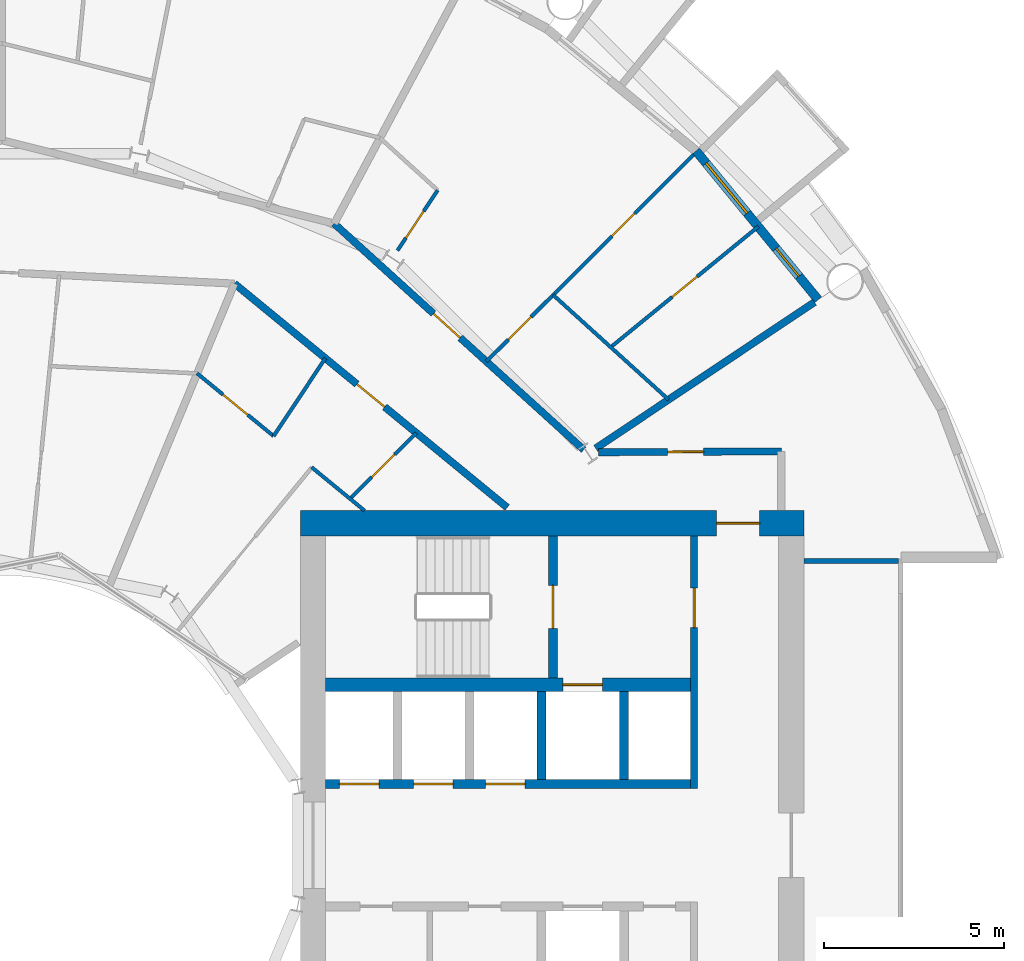
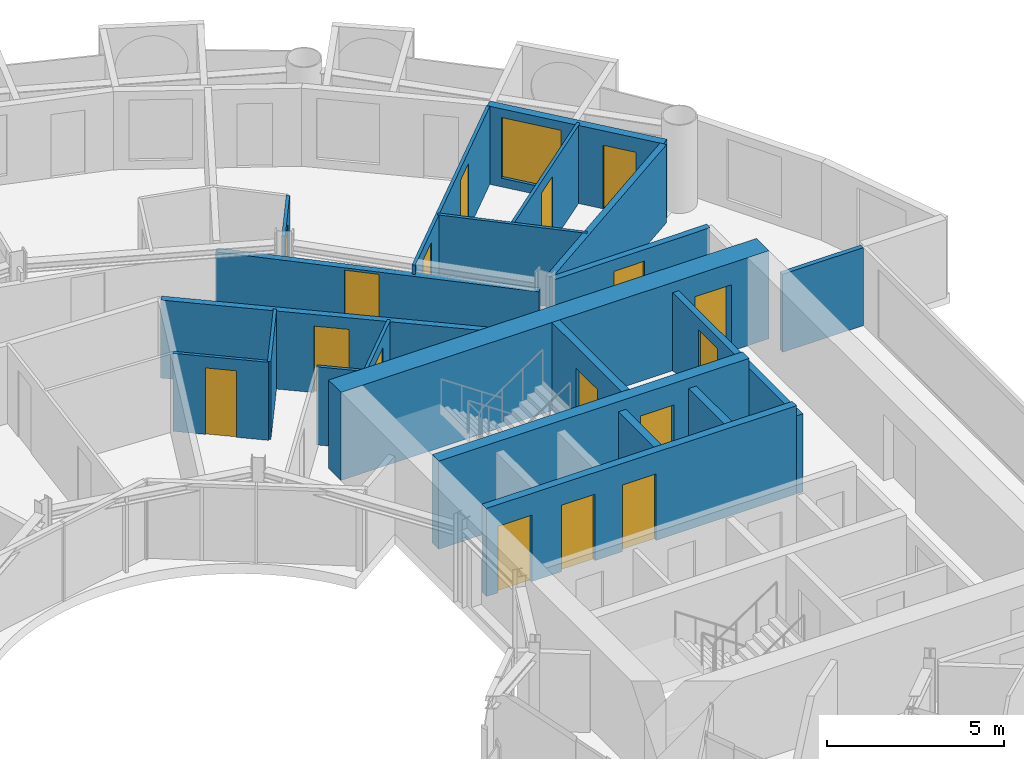
# One storey, part 21 of 26: 21 walls, 17 doors, 1 window, 18 openings.
"""IFC4 building model written with IfcOpenShell, lengths in metres."""

from ifc_helpers import new_model, si_unit, direction, frame, frame_2d, origin, place, context, subcontext, project, spatial, rectangle, extrude, material, layer, layer_set, type_object, element, fill, save


model = new_model("IFC4")

# Units and contexts
model_context = context("Model", 3, precision=1e-05, world=origin(), true_north=direction((0.0, 1.0)))
body_context = subcontext(model_context, "Body", "Model", "MODEL_VIEW")
ifc_project = project(units=[si_unit("LENGTHUNIT", "METRE"), si_unit("AREAUNIT", "SQUARE_METRE"), si_unit("VOLUMEUNIT", "CUBIC_METRE"), si_unit("PLANEANGLEUNIT", "RADIAN"), si_unit("MASSUNIT", "GRAM", prefix="KILO")], contexts=[model_context])

# Site, building, storey
site_placement = place(None, origin())
site = spatial("IfcSite", under=ifc_project, at=site_placement, CompositionType="ELEMENT")
building_placement = place(site_placement, origin())
building = spatial("IfcBuilding", under=site, at=building_placement, Name="Maasbend Ring Residences", CompositionType="ELEMENT")
storey_placement = place(building_placement, frame((0.0, 0.0, 84.949951171875)))
storey = spatial("IfcBuildingStorey", under=building, at=storey_placement, Name="L24", CompositionType="ELEMENT", Elevation=84.949951171875)

# Wall, openings, doors
ifc_material_1 = material(Name="Concrete C70/85", Category="concrete")
ifc_layer_1 = layer(ifc_material_1, 0.25)
ifc_layer_set_1 = layer_set([ifc_layer_1], Name="Concrete C70/85")
wall_type_1 = type_object("IfcWallType", Name="CORE WALL 250 C70/85", PredefinedType="SHEAR", material=ifc_layer_set_1)
wall_1_placement = place(storey_placement, frame((9.0, 1.699951171875, 0.0), z_axis=(0.0, 0.0, 1.0), x_axis=(1.0, 0.0, 0.0)))
wall_1 = element("IfcWall", 1, at=wall_1_placement, inside=storey, type_object=wall_type_1, Name="L24 core E wall SPN", PredefinedType="SHEAR", context=body_context, shape_type="SweptSolid", body=[
    extrude(rectangle(XDim=10.14990234375, YDim=0.25, at=frame_2d((5.074951171875, 0.0))), origin(), (0.0, 0.0, 1.0), 3.050048828125),
])
opening_1_placement = place(wall_1_placement, frame((0.387451171875, 0.0, 0.0)))
opening_1 = element("IfcOpeningElement", 2, at=opening_1_placement, cuts=wall_1, Name="Opening LD-E2401", PredefinedType="OPENING", context=body_context, shape_type="SweptSolid", body=[
    extrude(rectangle(XDim=1.10009765625, YDim=2.300048828125, at=frame_2d((0.550048828125, 1.14990234375))), frame((0.0, 0.135009765625, 0.0), z_axis=(0.0, -1.0, 0.0), x_axis=(1.0, 0.0, 0.0)), (0.0, 0.0, 1.0), 0.27001953125),
])
opening_2_placement = place(wall_1_placement, frame((2.449951171875, 0.0, 0.0)))
opening_2 = element("IfcOpeningElement", 3, at=opening_2_placement, cuts=wall_1, Name="Opening LD-E2402", PredefinedType="OPENING", context=body_context, shape_type="SweptSolid", body=[
    extrude(rectangle(XDim=1.10009765625, YDim=2.300048828125, at=frame_2d((0.550048828125, 1.14990234375))), frame((0.0, 0.135009765625, 0.0), z_axis=(0.0, -1.0, 0.0), x_axis=(1.0, 0.0, 0.0)), (0.0, 0.0, 1.0), 0.27001953125),
])
opening_3_placement = place(wall_1_placement, frame((4.449951171875, 0.0, 0.0)))
opening_3 = element("IfcOpeningElement", 4, at=opening_3_placement, cuts=wall_1, Name="Opening LD-E2403", PredefinedType="OPENING", context=body_context, shape_type="SweptSolid", body=[
    extrude(rectangle(XDim=1.10009765625, YDim=2.300048828125, at=frame_2d((0.550048828125, 1.14990234375))), frame((0.0, 0.135009765625, 0.0), z_axis=(0.0, -1.0, 0.0), x_axis=(1.0, 0.0, 0.0)), (0.0, 0.0, 1.0), 0.27001953125),
])
ifc_material_2 = material(Name="Stainless steel 316", Category="steel")
door_type_1 = type_object("IfcDoorType", Name="LANDING DOOR 1100 X 2300 FD60", OperationType="DOUBLE_DOOR_SLIDING", PredefinedType="DOOR", material=ifc_material_2)
door_1_placement = place(opening_1_placement, origin())
door_1 = element("IfcDoor", 5, at=door_1_placement, inside=storey, type_object=door_type_1, Name="Landing door LR-E1 L24", OperationType="DOUBLE_DOOR_SLIDING", OverallHeight=2.300048828125, OverallWidth=1.10009765625, PredefinedType="DOOR", context=body_context, shape_type="SweptSolid", body=[
    extrude(rectangle(XDim=1.10009765625, YDim=2.300048828125, at=frame_2d((0.550048828125, 1.14990234375))), frame((0.0, 0.02490234375, 0.0), z_axis=(0.0, -1.0, 0.0), x_axis=(1.0, 0.0, 0.0)), (0.0, 0.0, 1.0), 0.050048828125),
])
fill(opening_1, door_1)
door_2_placement = place(opening_2_placement, origin())
door_2 = element("IfcDoor", 6, at=door_2_placement, inside=storey, type_object=door_type_1, Name="Landing door LR-E2 L24", OperationType="DOUBLE_DOOR_SLIDING", OverallHeight=2.300048828125, OverallWidth=1.10009765625, PredefinedType="DOOR", context=body_context, shape_type="SweptSolid", body=[
    extrude(rectangle(XDim=1.10009765625, YDim=2.300048828125, at=frame_2d((0.550048828125, 1.14990234375))), frame((0.0, 0.02490234375, 0.0), z_axis=(0.0, -1.0, 0.0), x_axis=(1.0, 0.0, 0.0)), (0.0, 0.0, 1.0), 0.050048828125),
])
fill(opening_2, door_2)
door_3_placement = place(opening_3_placement, origin())
door_3 = element("IfcDoor", 7, at=door_3_placement, inside=storey, type_object=door_type_1, Name="Landing door LR-E3 L24", OperationType="DOUBLE_DOOR_SLIDING", OverallHeight=2.300048828125, OverallWidth=1.10009765625, PredefinedType="DOOR", context=body_context, shape_type="SweptSolid", body=[
    extrude(rectangle(XDim=1.10009765625, YDim=2.300048828125, at=frame_2d((0.550048828125, 1.14990234375))), frame((0.0, 0.02490234375, 0.0), z_axis=(0.0, -1.0, 0.0), x_axis=(1.0, 0.0, 0.0)), (0.0, 0.0, 1.0), 0.050048828125),
])
fill(opening_3, door_3)

# Wall, opening, door
wall_2_placement = place(storey_placement, frame((15.324951171875, 4.64990234375, 0.0), z_axis=(0.0, 0.0, 1.0), x_axis=(0.0, 1.0, 0.0)))
wall_2 = element("IfcWall", 8, at=wall_2_placement, inside=storey, type_object=wall_type_1, Name="L24 core E wall STEN", PredefinedType="SHEAR", context=body_context, shape_type="SweptSolid", body=[
    extrude(rectangle(XDim=3.9501953125, YDim=0.25, at=frame_2d((1.97509765625, 0.0))), origin(), (0.0, 0.0, 1.0), 3.050048828125),
])
opening_4_placement = place(wall_2_placement, frame((1.375, 0.0, 0.0)))
opening_4 = element("IfcOpeningElement", 9, at=opening_4_placement, cuts=wall_2, Name="Opening D-E2410", PredefinedType="OPENING", context=body_context, shape_type="SweptSolid", body=[
    extrude(rectangle(XDim=1.199951171875, YDim=2.300048828125, at=frame_2d((0.60009765625, 1.14990234375))), frame((0.0, 0.135009765625, 0.0), z_axis=(0.0, -1.0, 0.0), x_axis=(1.0, 0.0, 0.0)), (0.0, 0.0, 1.0), 0.27001953125),
])
ifc_material_3 = material(Name="Steel, powder coated", Category="steel")
door_type_2 = type_object("IfcDoorType", Name="STAIR DOOR 1200 X 2300 FD60", OperationType="NOTDEFINED", PredefinedType="DOOR", material=ifc_material_3)
door_4_placement = place(opening_4_placement, origin())
door_4 = element("IfcDoor", 10, at=door_4_placement, inside=storey, type_object=door_type_2, Name="Stair door ST-E L24", OperationType="SINGLE_SWING_LEFT", OverallHeight=2.300048828125, OverallWidth=1.199951171875, PredefinedType="DOOR", context=body_context, shape_type="SweptSolid", body=[
    extrude(rectangle(XDim=1.199951171875, YDim=2.300048828125, at=frame_2d((0.60009765625, 1.14990234375))), frame((0.0, 0.02490234375, 0.0), z_axis=(0.0, -1.0, 0.0), x_axis=(1.0, 0.0, 0.0)), (0.0, 0.0, 1.0), 0.050048828125),
])
fill(opening_4, door_4)

ifc_material_4 = material(Name="Concrete C70/85", Category="concrete")
ifc_layer_2 = layer(ifc_material_4, 0.375)
ifc_layer_set_2 = layer_set([ifc_layer_2], Name="Concrete C70/85")
wall_type_2 = type_object("IfcWallType", Name="CORE WALL 375 C70/85", PredefinedType="SHEAR", material=ifc_layer_set_2)
wall_3_placement = place(storey_placement, frame((9.0, 4.46240234375, 0.0), z_axis=(0.0, 0.0, 1.0), x_axis=(1.0, 0.0, 0.0)))
wall_3 = element("IfcWall", 11, at=wall_3_placement, inside=storey, type_object=wall_type_2, Name="L24 core E wall BN", PredefinedType="SHEAR", context=body_context, shape_type="SweptSolid", body=[
    extrude(rectangle(XDim=10.14990234375, YDim=0.375, at=frame_2d((5.074951171875, 0.0))), origin(), (0.0, 0.0, 1.0), 3.050048828125),
])
opening_5_placement = place(wall_3_placement, frame((6.60009765625, 0.0, 0.0)))
opening_5 = element("IfcOpeningElement", 12, at=opening_5_placement, cuts=wall_3, Name="Opening LD-E2404", PredefinedType="OPENING", context=body_context, shape_type="SweptSolid", body=[
    extrude(rectangle(XDim=1.10009765625, YDim=2.300048828125, at=frame_2d((0.550048828125, 1.14990234375))), frame((0.0, 0.197509765625, 0.0), z_axis=(0.0, -1.0, 0.0), x_axis=(1.0, 0.0, 0.0)), (0.0, 0.0, 1.0), 0.39501953125),
])
door_5_placement = place(opening_5_placement, origin())
door_5 = element("IfcDoor", 13, at=door_5_placement, inside=storey, type_object=door_type_1, Name="Landing door FF-E L24", OperationType="DOUBLE_DOOR_SLIDING", OverallHeight=2.300048828125, OverallWidth=1.10009765625, PredefinedType="DOOR", context=body_context, shape_type="SweptSolid", body=[
    extrude(rectangle(XDim=1.10009765625, YDim=2.300048828125, at=frame_2d((0.550048828125, 1.14990234375))), frame((0.0, 0.02490234375, 0.0), z_axis=(0.0, -1.0, 0.0), x_axis=(1.0, 0.0, 0.0)), (0.0, 0.0, 1.0), 0.050048828125),
])
fill(opening_5, door_5)

ifc_material_5 = material(Name="Concrete C70/85", Category="concrete")
ifc_layer_3 = layer(ifc_material_5, 0.699951171875)
ifc_layer_set_3 = layer_set([ifc_layer_3], Name="Concrete C70/85")
wall_type_3 = type_object("IfcWallType", Name="CORE WALL 700 C70/85", PredefinedType="SHEAR", material=ifc_layer_set_3)
wall_4_placement = place(storey_placement, frame((22.300048828125, 8.949951171875, 0.0), z_axis=(0.0, 0.0, 1.0), x_axis=(-1.0, 0.0, 0.0)))
wall_4 = element("IfcWall", 14, at=wall_4_placement, inside=storey, type_object=wall_type_3, Name="L24 core E wall PN", PredefinedType="SHEAR", context=body_context, shape_type="SweptSolid", body=[
    extrude(rectangle(XDim=14.0, YDim=0.699951171875, at=frame_2d((7.0, 0.0))), origin(), (0.0, 0.0, 1.0), 3.050048828125),
])
opening_6_placement = place(wall_4_placement, frame((1.22509765625, 0.0, 0.0)))
opening_6 = element("IfcOpeningElement", 15, at=opening_6_placement, cuts=wall_4, Name="Opening D-E2414", PredefinedType="OPENING", context=body_context, shape_type="SweptSolid", body=[
    extrude(rectangle(XDim=1.199951171875, YDim=2.300048828125, at=frame_2d((0.60009765625, 1.14990234375))), frame((0.0, 0.35986328125, 0.0), z_axis=(0.0, -1.0, 0.0), x_axis=(1.0, 0.0, 0.0)), (0.0, 0.0, 1.0), 0.719970703125),
])
ifc_material_6 = material(Name="Steel, powder coated", Category="steel")
door_type_3 = type_object("IfcDoorType", Name="CORRIDOR DOOR 1200 X 2300 FD30S", OperationType="NOTDEFINED", PredefinedType="DOOR", material=ifc_material_6)
door_6_placement = place(opening_6_placement, origin())
door_6 = element("IfcDoor", 16, at=door_6_placement, inside=storey, type_object=door_type_3, Name="Corridor door L24", OperationType="SINGLE_SWING_RIGHT", OverallHeight=2.300048828125, OverallWidth=1.199951171875, PredefinedType="DOOR", context=body_context, shape_type="SweptSolid", body=[
    extrude(rectangle(XDim=1.199951171875, YDim=2.300048828125, at=frame_2d((0.60009765625, 1.14990234375))), frame((0.0, 0.02490234375, 0.0), z_axis=(0.0, -1.0, 0.0), x_axis=(1.0, 0.0, 0.0)), (0.0, 0.0, 1.0), 0.050048828125),
])
fill(opening_6, door_6)

ifc_material_7 = material(Name="Concrete C30/37", Category="concrete")
ifc_layer_4 = layer(ifc_material_7, 0.199951171875)
ifc_layer_set_4 = layer_set([ifc_layer_4], Name="Concrete C30/37")
wall_type_4 = type_object("IfcWallType", Name="CORRIDOR WALL 200 CONCRETE", PredefinedType="PARTITIONING", material=ifc_layer_set_4)
wall_5_placement = place(storey_placement, frame((16.587890625, 10.925048828125, 0.0), z_axis=(0.0, 0.0, 1.0), x_axis=(0.999988019025, 0.004895079807, 0.0)))
wall_5 = element("IfcWall", 17, at=wall_5_placement, inside=storey, type_object=wall_type_4, Name="U-L24-w085", PredefinedType="PARTITIONING", context=body_context, shape_type="SweptSolid", body=[
    extrude(rectangle(XDim=5.087158203125, YDim=0.199951171875, at=frame_2d((2.54345703125, 0.0))), origin(), (0.0, 0.0, 1.0), 2.699951171875),
])
opening_7_placement = place(wall_5_placement, frame((1.925048828125, 0.0, 0.0)))
opening_7 = element("IfcOpeningElement", 18, at=opening_7_placement, cuts=wall_5, Name="Opening D-2468", PredefinedType="OPENING", context=body_context, shape_type="SweptSolid", body=[
    extrude(rectangle(XDim=1.0, YDim=2.300048828125, at=frame_2d((0.5, 1.14990234375))), frame((0.0, 0.10986328125, 0.0), z_axis=(0.0, -1.0, 0.0), x_axis=(1.0, 0.0, 0.0)), (0.0, 0.0, 1.0), 0.219970703125),
])
ifc_material_8 = material(Name="Timber, painted", Category="wood")
door_type_4 = type_object("IfcDoorType", Name="ROOM DOOR 1000 X 2300", OperationType="NOTDEFINED", PredefinedType="DOOR", material=ifc_material_8)
door_7_placement = place(opening_7_placement, origin())
door_7 = element("IfcDoor", 19, at=door_7_placement, inside=storey, type_object=door_type_4, Name="D-2468", OperationType="SINGLE_SWING_LEFT", OverallHeight=2.300048828125, OverallWidth=1.0, PredefinedType="DOOR", context=body_context, shape_type="SweptSolid", body=[
    extrude(rectangle(XDim=1.0, YDim=2.300048828125, at=frame_2d((0.5, 1.14990234375))), frame((0.0, 0.02490234375, 0.0), z_axis=(0.0, -1.0, 0.0), x_axis=(1.0, 0.0, 0.0)), (0.0, 0.0, 1.0), 0.050048828125),
])
fill(opening_7, door_7)

wall_6_placement = place(storey_placement, frame((6.469970703125, 15.613037109375, 0.0), z_axis=(0.0, 0.0, 1.0), x_axis=(0.77292501819, -0.634497372931, 0.0)))
wall_6 = element("IfcWall", 20, at=wall_6_placement, inside=storey, type_object=wall_type_4, Name="U-L24-w094", PredefinedType="PARTITIONING", context=body_context, shape_type="SweptSolid", body=[
    extrude(rectangle(XDim=9.8095703125, YDim=0.199951171875, at=frame_2d((4.90478515625, 0.0))), origin(), (0.0, 0.0, 1.0), 2.699951171875),
])
opening_8_placement = place(wall_6_placement, frame((4.404052734375, 0.0, 0.0)))
opening_8 = element("IfcOpeningElement", 21, at=opening_8_placement, cuts=wall_6, Name="Opening D-2421", PredefinedType="OPENING", context=body_context, shape_type="SweptSolid", body=[
    extrude(rectangle(XDim=1.0, YDim=2.300048828125, at=frame_2d((0.5, 1.14990234375))), frame((0.0, 0.10986328125, 0.0), z_axis=(0.0, -1.0, 0.0), x_axis=(1.0, 0.0, 0.0)), (0.0, 0.0, 1.0), 0.219970703125),
])
ifc_material_9 = material(Name="Timber, fire-rated, painted", Category="wood")
door_type_5 = type_object("IfcDoorType", Name="FLAT ENTRANCE DOOR 1000 X 2300 FIRE-RATED", OperationType="NOTDEFINED", PredefinedType="DOOR", material=ifc_material_9)
door_8_placement = place(opening_8_placement, origin())
door_8 = element("IfcDoor", 22, at=door_8_placement, inside=storey, type_object=door_type_5, Name="D-2421", OperationType="SINGLE_SWING_LEFT", OverallHeight=2.300048828125, OverallWidth=1.0, PredefinedType="DOOR", context=body_context, shape_type="SweptSolid", body=[
    extrude(rectangle(XDim=1.0, YDim=2.300048828125, at=frame_2d((0.5, 1.14990234375))), frame((0.0, 0.02490234375, 0.0), z_axis=(0.0, -1.0, 0.0), x_axis=(1.0, 0.0, 0.0)), (0.0, 0.0, 1.0), 0.050048828125),
])
fill(opening_8, door_8)

wall_7_placement = place(storey_placement, frame((9.239013671875, 17.285888671875, 0.0), z_axis=(0.0, 0.0, 1.0), x_axis=(0.740909940942, -0.671604392044, 0.0)))
wall_7 = element("IfcWall", 23, at=wall_7_placement, inside=storey, type_object=wall_type_4, Name="U-L24-w098", PredefinedType="PARTITIONING", context=body_context, shape_type="SweptSolid", body=[
    extrude(rectangle(XDim=9.36669921875, YDim=0.199951171875, at=frame_2d((4.683349609375, 0.0))), origin(), (0.0, 0.0, 1.0), 2.380126953125),
])
opening_9_placement = place(wall_7_placement, frame((3.73095703125, 0.0, 0.0)))
opening_9 = element("IfcOpeningElement", 24, at=opening_9_placement, cuts=wall_7, Name="Opening D-2401", PredefinedType="OPENING", context=body_context, shape_type="SweptSolid", body=[
    extrude(rectangle(XDim=1.0, YDim=2.300048828125, at=frame_2d((0.5, 1.14990234375))), frame((0.0, 0.10986328125, 0.0), z_axis=(0.0, -1.0, 0.0), x_axis=(1.0, 0.0, 0.0)), (0.0, 0.0, 1.0), 0.219970703125),
])
door_9_placement = place(opening_9_placement, origin())
door_9 = element("IfcDoor", 25, at=door_9_placement, inside=storey, type_object=door_type_5, Name="D-2401", OperationType="SINGLE_SWING_LEFT", OverallHeight=2.300048828125, OverallWidth=1.0, PredefinedType="DOOR", context=body_context, shape_type="SweptSolid", body=[
    extrude(rectangle(XDim=1.0, YDim=2.300048828125, at=frame_2d((0.5, 1.14990234375))), frame((0.0, 0.02490234375, 0.0), z_axis=(0.0, -1.0, 0.0), x_axis=(1.0, 0.0, 0.0)), (0.0, 0.0, 1.0), 0.050048828125),
])
fill(opening_9, door_9)

# Wall, openings, door, window
ifc_material_10 = material(Name="Aluminium clad insulated panel", Category="aluminium")
ifc_layer_5 = layer(ifc_material_10, 0.25)
ifc_layer_set_5 = layer_set([ifc_layer_5], Name="EW-GL")
wall_type_5 = type_object("IfcWallType", Name="EW-GL", PredefinedType="SOLIDWALL", material=ifc_layer_set_5)
wall_8_placement = place(storey_placement, frame((22.698974609375, 15.1669921875, 0.0), z_axis=(0.0, 0.0, 1.0), x_axis=(-0.634382322723, 0.773019449054, 0.0)))
wall_8 = element("IfcWall", 26, at=wall_8_placement, inside=storey, type_object=wall_type_5, Name="External wall N01", PredefinedType="SOLIDWALL", context=body_context, shape_type="SweptSolid", body=[
    extrude(rectangle(XDim=5.351806640625, YDim=0.25, at=frame_2d((2.67578125, 0.0))), origin(), (0.0, 0.0, 1.0), 2.699951171875),
])
opening_10_placement = place(wall_8_placement, frame((0.841064453125, 0.0, 0.0)))
opening_10 = element("IfcOpeningElement", 27, at=opening_10_placement, cuts=wall_8, Name="Opening D-LG", PredefinedType="OPENING", context=body_context, shape_type="SweptSolid", body=[
    extrude(rectangle(XDim=1.0, YDim=2.199951171875, at=frame_2d((0.5, 1.10009765625))), frame((0.0, 0.135009765625, 0.0), z_axis=(0.0, -1.0, 0.0), x_axis=(1.0, 0.0, 0.0)), (0.0, 0.0, 1.0), 0.27001953125),
])
opening_11_placement = place(wall_8_placement, frame((3.110595703125, 0.0, 0.300048828125)))
opening_11 = element("IfcOpeningElement", 28, at=opening_11_placement, cuts=wall_8, Name="Opening W-BX", PredefinedType="OPENING", context=body_context, shape_type="SweptSolid", body=[
    extrude(rectangle(XDim=1.800048828125, YDim=2.10009765625, at=frame_2d((0.89990234375, 1.050048828125))), frame((0.0, 0.135009765625, 0.0), z_axis=(0.0, -1.0, 0.0), x_axis=(1.0, 0.0, 0.0)), (0.0, 0.0, 1.0), 0.27001953125),
])
ifc_material_11 = material(Name="Aluminium and clear glass", Category="aluminium")
door_type_6 = type_object("IfcDoorType", Name="D-LG", OperationType="SINGLE_SWING_LEFT", PredefinedType="DOOR", material=ifc_material_11)
door_10_placement = place(opening_10_placement, origin())
door_10 = element("IfcDoor", 29, at=door_10_placement, inside=storey, type_object=door_type_6, Name="Loggia door N01", OperationType="SINGLE_SWING_LEFT", OverallHeight=2.199951171875, OverallWidth=1.0, PredefinedType="DOOR", context=body_context, shape_type="SweptSolid", body=[
    extrude(rectangle(XDim=1.0, YDim=2.199951171875, at=frame_2d((0.5, 1.10009765625))), frame((0.0, 0.02490234375, 0.0), z_axis=(0.0, -1.0, 0.0), x_axis=(1.0, 0.0, 0.0)), (0.0, 0.0, 1.0), 0.050048828125),
])
fill(opening_10, door_10)
ifc_material_12 = material(Name="Aluminium and clear glass", Category="aluminium")
window_type = type_object("IfcWindowType", Name="W-BX", PartitioningType="DOUBLE_PANEL_VERTICAL", PredefinedType="WINDOW", material=ifc_material_12)
window_placement = place(opening_11_placement, origin())
window = element("IfcWindow", 30, at=window_placement, inside=storey, type_object=window_type, Name="Window N02 room to box", OverallHeight=2.10009765625, OverallWidth=1.800048828125, PartitioningType="SINGLE_PANEL", PredefinedType="WINDOW", context=body_context, shape_type="SweptSolid", body=[
    extrude(rectangle(XDim=1.800048828125, YDim=2.10009765625, at=frame_2d((0.89990234375, 1.050048828125))), frame((0.0, 0.030029296875, 0.0), z_axis=(0.0, -1.0, 0.0), x_axis=(1.0, 0.0, 0.0)), (0.0, 0.0, 1.0), 0.06005859375),
])
fill(opening_11, window)

# Wall
ifc_material_13 = material(Name="Gypsum board on steel studs", Category="steel")
ifc_layer_6 = layer(ifc_material_13, 0.10009765625)
ifc_layer_set_6 = layer_set([ifc_layer_6], Name="PARTITION 100 GYPSUM")
wall_type_6 = type_object("IfcWallType", Name="PARTITION 100 GYPSUM", PredefinedType="PARTITIONING", material=ifc_layer_set_6)
wall_9_placement = place(storey_placement, frame((7.55810546875, 11.3759765625, 0.0), z_axis=(0.0, 0.0, 1.0), x_axis=(0.553615197403, 0.83277260594, 0.0)))
element("IfcWall", 31, at=wall_9_placement, inside=storey, type_object=wall_type_6, Name="U-L24-w068", PredefinedType="PARTITIONING", context=body_context, shape_type="SweptSolid", body=[
    extrude(rectangle(XDim=2.597412109375, YDim=0.10009765625, at=frame_2d((1.298828125, 0.0))), origin(), (0.0, 0.0, 1.0), 2.699951171875),
])

# Wall, opening, door
wall_10_placement = place(storey_placement, frame((9.68310546875, 9.632080078125, 0.0), z_axis=(0.0, 0.0, 1.0), x_axis=(0.708796844581, 0.705412668665, 0.0)))
wall_10 = element("IfcWall", 32, at=wall_10_placement, inside=storey, type_object=wall_type_6, Name="U-L24-w073", PredefinedType="PARTITIONING", context=body_context, shape_type="SweptSolid", body=[
    extrude(rectangle(XDim=2.59716796875, YDim=0.10009765625, at=frame_2d((1.298583984375, 0.0))), origin(), (0.0, 0.0, 1.0), 2.699951171875),
])
opening_12_placement = place(wall_10_placement, frame((0.84912109375, 0.0, 0.0)))
opening_12 = element("IfcOpeningElement", 33, at=opening_12_placement, cuts=wall_10, Name="Opening D-2423", PredefinedType="OPENING", context=body_context, shape_type="SweptSolid", body=[
    extrude(rectangle(XDim=0.89990234375, YDim=2.300048828125, at=frame_2d((0.449951171875, 1.14990234375))), frame((0.0, 0.06005859375, 0.0), z_axis=(0.0, -1.0, 0.0), x_axis=(1.0, 0.0, 0.0)), (0.0, 0.0, 1.0), 0.1201171875),
])
ifc_material_14 = material(Name="Timber, painted", Category="wood")
door_type_7 = type_object("IfcDoorType", Name="INTERNAL DOOR 900 X 2300", OperationType="NOTDEFINED", PredefinedType="DOOR", material=ifc_material_14)
door_11_placement = place(opening_12_placement, origin())
door_11 = element("IfcDoor", 34, at=door_11_placement, inside=storey, type_object=door_type_7, Name="D-2423", OperationType="SINGLE_SWING_LEFT", OverallHeight=2.300048828125, OverallWidth=0.89990234375, PredefinedType="DOOR", context=body_context, shape_type="SweptSolid", body=[
    extrude(rectangle(XDim=0.89990234375, YDim=2.300048828125, at=frame_2d((0.449951171875, 1.14990234375))), frame((0.0, 0.02490234375, 0.0), z_axis=(0.0, -1.0, 0.0), x_axis=(1.0, 0.0, 0.0)), (0.0, 0.0, 1.0), 0.050048828125),
])
fill(opening_12, door_11)

wall_11_placement = place(storey_placement, frame((11.0029296875, 16.535888671875, 0.0), z_axis=(0.0, 0.0, 1.0), x_axis=(0.554112076035, 0.832442074376, 0.0)))
wall_11 = element("IfcWall", 35, at=wall_11_placement, inside=storey, type_object=wall_type_6, Name="U-L24-w074", PredefinedType="PARTITIONING", context=body_context, shape_type="SweptSolid", body=[
    extrude(rectangle(XDim=2.01220703125, YDim=0.10009765625, at=frame_2d((1.006103515625, 0.0))), origin(), (0.0, 0.0, 1.0), 2.699951171875),
])
opening_13_placement = place(wall_11_placement, frame((0.4140625, 0.0, 0.0)))
opening_13 = element("IfcOpeningElement", 36, at=opening_13_placement, cuts=wall_11, Name="Opening D-2402", PredefinedType="OPENING", context=body_context, shape_type="SweptSolid", body=[
    extrude(rectangle(XDim=0.89990234375, YDim=2.300048828125, at=frame_2d((0.449951171875, 1.14990234375))), frame((0.0, 0.06005859375, 0.0), z_axis=(0.0, -1.0, 0.0), x_axis=(1.0, 0.0, 0.0)), (0.0, 0.0, 1.0), 0.1201171875),
])
door_12_placement = place(opening_13_placement, origin())
door_12 = element("IfcDoor", 37, at=door_12_placement, inside=storey, type_object=door_type_7, Name="D-2402", OperationType="SINGLE_SWING_LEFT", OverallHeight=2.300048828125, OverallWidth=0.89990234375, PredefinedType="DOOR", context=body_context, shape_type="SweptSolid", body=[
    extrude(rectangle(XDim=0.89990234375, YDim=2.300048828125, at=frame_2d((0.449951171875, 1.14990234375))), frame((0.0, 0.02490234375, 0.0), z_axis=(0.0, -1.0, 0.0), x_axis=(1.0, 0.0, 0.0)), (0.0, 0.0, 1.0), 0.050048828125),
])
fill(opening_13, door_12)

# Wall, openings, doors
wall_12_placement = place(storey_placement, frame((13.47412109375, 13.447998046875, 0.0), z_axis=(0.0, 0.0, 1.0), x_axis=(0.707766479207, 0.706446467123, 0.0)))
wall_12 = element("IfcWall", 38, at=wall_12_placement, inside=storey, type_object=wall_type_6, Name="U-L24-w077", PredefinedType="PARTITIONING", context=body_context, shape_type="SweptSolid", body=[
    extrude(rectangle(XDim=8.137939453125, YDim=0.10009765625, at=frame_2d((4.06884765625, 0.0))), origin(), (0.0, 0.0, 1.0), 2.699951171875),
])
opening_14_placement = place(wall_12_placement, frame((0.861083984375, 0.0, 0.0)))
opening_14 = element("IfcOpeningElement", 39, at=opening_14_placement, cuts=wall_12, Name="Opening D-2403", PredefinedType="OPENING", context=body_context, shape_type="SweptSolid", body=[
    extrude(rectangle(XDim=0.89990234375, YDim=2.300048828125, at=frame_2d((0.449951171875, 1.14990234375))), frame((0.0, 0.06005859375, 0.0), z_axis=(0.0, -1.0, 0.0), x_axis=(1.0, 0.0, 0.0)), (0.0, 0.0, 1.0), 0.1201171875),
])
opening_15_placement = place(wall_12_placement, frame((4.930908203125, 0.0, 0.0)))
opening_15 = element("IfcOpeningElement", 40, at=opening_15_placement, cuts=wall_12, Name="Opening D-2404", PredefinedType="OPENING", context=body_context, shape_type="SweptSolid", body=[
    extrude(rectangle(XDim=0.89990234375, YDim=2.300048828125, at=frame_2d((0.449951171875, 1.14990234375))), frame((0.0, 0.06005859375, 0.0), z_axis=(0.0, -1.0, 0.0), x_axis=(1.0, 0.0, 0.0)), (0.0, 0.0, 1.0), 0.1201171875),
])
door_13_placement = place(opening_14_placement, origin())
door_13 = element("IfcDoor", 41, at=door_13_placement, inside=storey, type_object=door_type_7, Name="D-2403", OperationType="SINGLE_SWING_LEFT", OverallHeight=2.300048828125, OverallWidth=0.89990234375, PredefinedType="DOOR", context=body_context, shape_type="SweptSolid", body=[
    extrude(rectangle(XDim=0.89990234375, YDim=2.300048828125, at=frame_2d((0.449951171875, 1.14990234375))), frame((0.0, 0.02490234375, 0.0), z_axis=(0.0, -1.0, 0.0), x_axis=(1.0, 0.0, 0.0)), (0.0, 0.0, 1.0), 0.050048828125),
])
fill(opening_14, door_13)
door_14_placement = place(opening_15_placement, origin())
door_14 = element("IfcDoor", 42, at=door_14_placement, inside=storey, type_object=door_type_7, Name="D-2404", OperationType="SINGLE_SWING_RIGHT", OverallHeight=2.300048828125, OverallWidth=0.89990234375, PredefinedType="DOOR", context=body_context, shape_type="SweptSolid", body=[
    extrude(rectangle(XDim=0.89990234375, YDim=2.300048828125, at=frame_2d((0.449951171875, 1.14990234375))), frame((0.0, 0.02490234375, 0.0), z_axis=(0.0, -1.0, 0.0), x_axis=(1.0, 0.0, 0.0)), (0.0, 0.0, 1.0), 0.050048828125),
])
fill(opening_15, door_14)

# Wall, opening, door
wall_13_placement = place(storey_placement, frame((16.93310546875, 13.847900390625, 0.0), z_axis=(0.0, 0.0, 1.0), x_axis=(0.774219894911, 0.632916704097, 0.0)))
wall_13 = element("IfcWall", 43, at=wall_13_placement, inside=storey, type_object=wall_type_6, Name="U-L24-w081", PredefinedType="PARTITIONING", context=body_context, shape_type="SweptSolid", body=[
    extrude(rectangle(XDim=5.30078125, YDim=0.10009765625, at=frame_2d((2.650390625, 0.0))), origin(), (0.0, 0.0, 1.0), 2.699951171875),
])
opening_16_placement = place(wall_13_placement, frame((2.200927734375, 0.0, 0.0)))
opening_16 = element("IfcOpeningElement", 44, at=opening_16_placement, cuts=wall_13, Name="Opening D-2405", PredefinedType="OPENING", context=body_context, shape_type="SweptSolid", body=[
    extrude(rectangle(XDim=0.89990234375, YDim=2.300048828125, at=frame_2d((0.449951171875, 1.14990234375))), frame((0.0, 0.06005859375, 0.0), z_axis=(0.0, -1.0, 0.0), x_axis=(1.0, 0.0, 0.0)), (0.0, 0.0, 1.0), 0.1201171875),
])
door_15_placement = place(opening_16_placement, origin())
door_15 = element("IfcDoor", 45, at=door_15_placement, inside=storey, type_object=door_type_7, Name="D-2405", OperationType="SINGLE_SWING_RIGHT", OverallHeight=2.300048828125, OverallWidth=0.89990234375, PredefinedType="DOOR", context=body_context, shape_type="SweptSolid", body=[
    extrude(rectangle(XDim=0.89990234375, YDim=2.300048828125, at=frame_2d((0.449951171875, 1.14990234375))), frame((0.0, 0.02490234375, 0.0), z_axis=(0.0, -1.0, 0.0), x_axis=(1.0, 0.0, 0.0)), (0.0, 0.0, 1.0), 0.050048828125),
])
fill(opening_16, door_15)

wall_14_placement = place(storey_placement, frame((5.427001953125, 13.12109375, 0.0), z_axis=(0.0, 0.0, 1.0), x_axis=(0.773323547924, -0.634011585246, 0.0)))
wall_14 = element("IfcWall", 46, at=wall_14_placement, inside=storey, type_object=wall_type_6, Name="U-L24-w090", PredefinedType="PARTITIONING", context=body_context, shape_type="SweptSolid", body=[
    extrude(rectangle(XDim=2.747802734375, YDim=0.10009765625, at=frame_2d((1.3740234375, 0.0))), origin(), (0.0, 0.0, 1.0), 2.699951171875),
])
opening_17_placement = place(wall_14_placement, frame((0.929931640625, 0.0, 0.0)))
opening_17 = element("IfcOpeningElement", 47, at=opening_17_placement, cuts=wall_14, Name="Opening D-2422", PredefinedType="OPENING", context=body_context, shape_type="SweptSolid", body=[
    extrude(rectangle(XDim=0.89990234375, YDim=2.300048828125, at=frame_2d((0.449951171875, 1.14990234375))), frame((0.0, 0.06005859375, 0.0), z_axis=(0.0, -1.0, 0.0), x_axis=(1.0, 0.0, 0.0)), (0.0, 0.0, 1.0), 0.1201171875),
])
door_16_placement = place(opening_17_placement, origin())
door_16 = element("IfcDoor", 48, at=door_16_placement, inside=storey, type_object=door_type_7, Name="D-2422", OperationType="SINGLE_SWING_RIGHT", OverallHeight=2.300048828125, OverallWidth=0.89990234375, PredefinedType="DOOR", context=body_context, shape_type="SweptSolid", body=[
    extrude(rectangle(XDim=0.89990234375, YDim=2.300048828125, at=frame_2d((0.449951171875, 1.14990234375))), frame((0.0, 0.02490234375, 0.0), z_axis=(0.0, -1.0, 0.0), x_axis=(1.0, 0.0, 0.0)), (0.0, 0.0, 1.0), 0.050048828125),
])
fill(opening_17, door_16)

# Walls
wall_15_placement = place(storey_placement, frame((8.614013671875, 10.509033203125, 0.0), z_axis=(0.0, 0.0, 1.0), x_axis=(0.772957368531, -0.6344579627, 0.0)))
element("IfcWall", 49, at=wall_15_placement, inside=storey, type_object=wall_type_6, Name="U-L24-w091", PredefinedType="PARTITIONING", context=body_context, shape_type="SweptSolid", body=[
    extrude(rectangle(XDim=1.905517578125, YDim=0.10009765625, at=frame_2d((0.95263671875, 0.0))), origin(), (0.0, 0.0, 1.0), 2.699951171875),
])
wall_16_placement = place(storey_placement, frame((15.33203125, 15.297119140625, 0.0), z_axis=(0.0, 0.0, 1.0), x_axis=(0.740836325503, -0.671685595212, 0.0)))
element("IfcWall", 50, at=wall_16_placement, inside=storey, type_object=wall_type_6, Name="U-L24-w106", PredefinedType="PARTITIONING", context=body_context, shape_type="SweptSolid", body=[
    extrude(rectangle(XDim=4.33544921875, YDim=0.10009765625, at=frame_2d((2.167724609375, 0.0))), origin(), (0.0, 0.0, 1.0), 2.699951171875),
])
ifc_material_15 = material(Name="Gypsum board on steel studs", Category="steel")
ifc_layer_7 = layer(ifc_material_15, 0.14990234375)
ifc_layer_set_7 = layer_set([ifc_layer_7], Name="PARTITION 150 EI 60")
wall_type_7 = type_object("IfcWallType", Name="PARTITION 150 EI 60", PredefinedType="PARTITIONING", material=ifc_layer_set_7)
wall_17_placement = place(storey_placement, frame((22.300048828125, 7.89990234375, 0.0), z_axis=(0.0, 0.0, 1.0), x_axis=(1.0, 0.0, 0.0)))
element("IfcWall", 51, at=wall_17_placement, inside=storey, type_object=wall_type_7, Name="L24 core E wall CITN", PredefinedType="PARTITIONING", context=body_context, shape_type="SweptSolid", body=[
    extrude(rectangle(XDim=2.639892578125, YDim=0.14990234375, at=frame_2d((1.31982421875, 0.0))), origin(), (0.0, 0.0, 1.0), 2.699951171875),
])
ifc_material_16 = material(Name="Concrete C30/37", Category="concrete")
ifc_layer_8 = layer(ifc_material_16, 0.199951171875)
ifc_layer_set_8 = layer_set([ifc_layer_8], Name="Concrete C30/37")
wall_type_8 = type_object("IfcWallType", Name="PARTY WALL 200 CONCRETE", PredefinedType="PARTITIONING", material=ifc_layer_set_8)
wall_18_placement = place(storey_placement, frame((16.514892578125, 11.033935546875, 0.0), z_axis=(0.0, 0.0, 1.0), x_axis=(0.831382022135, 0.555701298605, 0.0)))
element("IfcWall", 52, at=wall_18_placement, inside=storey, type_object=wall_type_8, Name="U-L24-w080", PredefinedType="PARTITIONING", context=body_context, shape_type="SweptSolid", body=[
    extrude(rectangle(XDim=7.313232421875, YDim=0.199951171875, at=frame_2d((3.65673828125, 0.0))), origin(), (0.0, 0.0, 1.0), 2.699951171875),
])

# Wall, opening, door
ifc_material_17 = material(Name="Concrete C30/37", Category="concrete")
ifc_layer_9 = layer(ifc_material_17, 0.199951171875)
ifc_layer_set_9 = layer_set([ifc_layer_9], Name="Concrete C30/37")
wall_type_9 = type_object("IfcWallType", Name="SHAFT WALL 200 EI 120", PredefinedType="SOLIDWALL", material=ifc_layer_set_9)
wall_19_placement = place(storey_placement, frame((19.25, 1.574951171875, 0.0), z_axis=(0.0, 0.0, 1.0), x_axis=(0.0, 1.0, 0.0)))
wall_19 = element("IfcWall", 53, at=wall_19_placement, inside=storey, type_object=wall_type_9, Name="L24 core E wall ENDN", PredefinedType="SOLIDWALL", context=body_context, shape_type="SweptSolid", body=[
    extrude(rectangle(XDim=7.025146484375, YDim=0.199951171875, at=frame_2d((3.5126953125, 0.0))), origin(), (0.0, 0.0, 1.0), 2.699951171875),
])
opening_18_placement = place(wall_19_placement, frame((4.47509765625, 0.0, 0.0)))
opening_18 = element("IfcOpeningElement", 54, at=opening_18_placement, cuts=wall_19, Name="Opening D-E2412", PredefinedType="OPENING", context=body_context, shape_type="SweptSolid", body=[
    extrude(rectangle(XDim=1.10009765625, YDim=2.300048828125, at=frame_2d((0.550048828125, 1.14990234375))), frame((0.0, 0.10986328125, 0.0), z_axis=(0.0, -1.0, 0.0), x_axis=(1.0, 0.0, 0.0)), (0.0, 0.0, 1.0), 0.219970703125),
])
ifc_material_18 = material(Name="Steel, powder coated", Category="steel")
door_type_8 = type_object("IfcDoorType", Name="LOBBY DOOR 1100 X 2300 FD60", OperationType="NOTDEFINED", PredefinedType="DOOR", material=ifc_material_18)
door_17_placement = place(opening_18_placement, origin())
door_17 = element("IfcDoor", 55, at=door_17_placement, inside=storey, type_object=door_type_8, Name="Lobby door L24", OperationType="SINGLE_SWING_LEFT", OverallHeight=2.300048828125, OverallWidth=1.10009765625, PredefinedType="DOOR", context=body_context, shape_type="SweptSolid", body=[
    extrude(rectangle(XDim=1.10009765625, YDim=2.300048828125, at=frame_2d((0.550048828125, 1.14990234375))), frame((0.0, 0.02490234375, 0.0), z_axis=(0.0, -1.0, 0.0), x_axis=(1.0, 0.0, 0.0)), (0.0, 0.0, 1.0), 0.050048828125),
])
fill(opening_18, door_17)

# Walls
ifc_material_19 = material(Name="Concrete C30/37", Category="concrete")
ifc_layer_10 = layer(ifc_material_19, 0.25)
ifc_layer_set_10 = layer_set([ifc_layer_10], Name="Concrete C30/37")
wall_type_10 = type_object("IfcWallType", Name="SHAFT WALL 250 EI 120", PredefinedType="SOLIDWALL", material=ifc_layer_set_10)
for number, where, z_axis, x_axis, name in (
    (56, (15.0, 1.824951171875, 0.0), (0.0, 0.0, 1.0), (0.0, 1.0, 0.0), "L24 core E wall D150N"),
    (57, (17.300048828125, 1.824951171875, 0.0), (0.0, 0.0, 1.0), (0.0, 1.0, 0.0), "L24 core E wall D173N"),
):
    element("IfcWall", number, at=place(storey_placement, frame(where, z_axis=z_axis, x_axis=x_axis)), inside=storey, type_object=wall_type_10, Name=name, PredefinedType="SOLIDWALL", context=body_context, shape_type="SweptSolid", body=[
        extrude(rectangle(XDim=2.449951171875, YDim=0.25, at=frame_2d((1.22509765625, 0.0))), origin(), (0.0, 0.0, 1.0), 2.699951171875),
    ])

save(model, "model.ifc")
